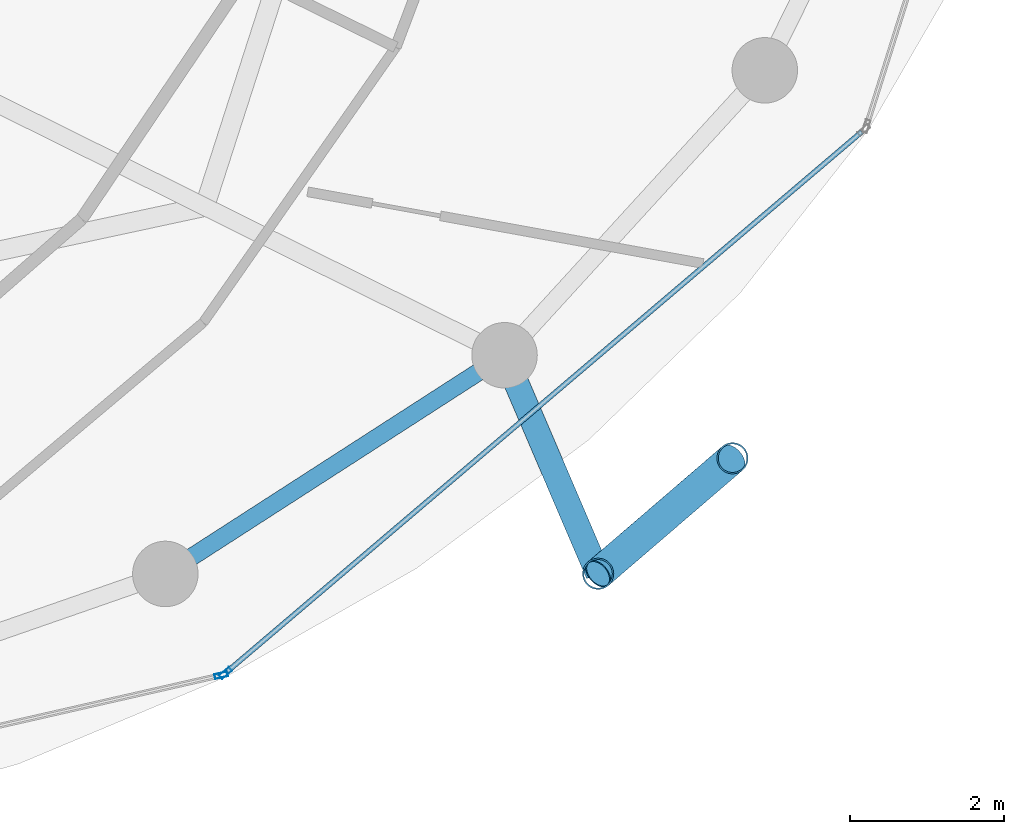
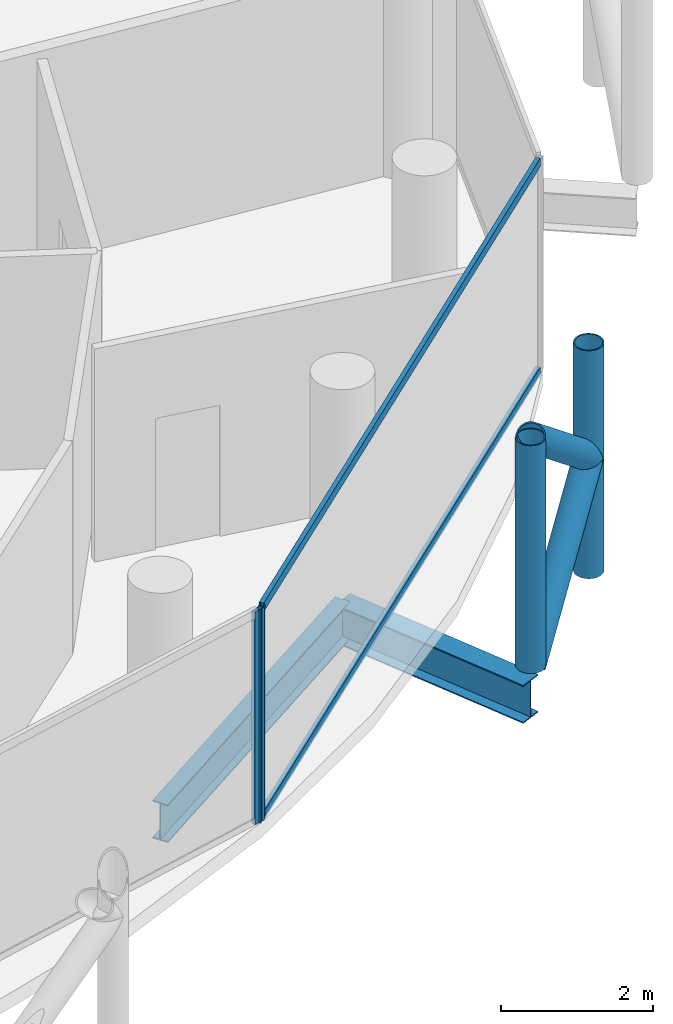
# One storey, part 11 of 27: 8 members, 2 beams, 2 elements without a shape of their own.
"""IFC4 building model written with IfcOpenShell, lengths in metres."""

from ifc_helpers import new_model, si_unit, direction, frame, origin, origin_2d, place, context, subcontext, project, spatial, hollow_rectangle, hollow_circle, i_section, extrude, material, layer, layer_set, material_profile, profile_set, type_object, element, aggregate, save


model = new_model("IFC4")

# Units and contexts
model_context = context("Model", 3, precision=1e-05, world=origin(), true_north=direction((0.0, 1.0)))
body_context = subcontext(model_context, "Body", "Model", "MODEL_VIEW")
ifc_project = project(units=[si_unit("LENGTHUNIT", "METRE"), si_unit("AREAUNIT", "SQUARE_METRE"), si_unit("VOLUMEUNIT", "CUBIC_METRE"), si_unit("PLANEANGLEUNIT", "RADIAN"), si_unit("MASSUNIT", "GRAM", prefix="KILO")], contexts=[model_context])

# Site, building, storey
site_placement = place(None, origin())
site = spatial("IfcSite", under=ifc_project, at=site_placement, CompositionType="ELEMENT")
building_placement = place(site_placement, origin())
building = spatial("IfcBuilding", under=site, at=building_placement, Name="Nuhasar Tower", CompositionType="ELEMENT")
storey_placement = place(building_placement, frame((0.0, 0.0, 241.0)))
storey = spatial("IfcBuildingStorey", under=building, at=storey_placement, Name="L59", CompositionType="ELEMENT", Elevation=241.0)

# Beams
ifc_material_1 = material(Name="Steel S355", Category="steel")
ifc_material_profile_1 = material_profile(ifc_material_1, i_section(OverallWidth=0.22802734375, OverallDepth=0.60791015625, WebThickness=0.01123046875, FlangeThickness=0.017333984375, at=origin_2d()), Name="W24X76")
ifc_profile_set_1 = profile_set([ifc_material_profile_1], Name="Steel S355")
beam_type_1 = type_object("IfcBeamType", Name="BM-RING-W24X76", PredefinedType="SPANDREL", material=ifc_profile_set_1)
beam_1_placement = place(storey_placement, frame((49.625, 11.341064453125, -0.5439453125), z_axis=(0.840502144969, 0.541808217272, 0.0), x_axis=(-0.541808217272, 0.840502144969, 0.0)))
element("IfcBeam", 1, at=beam_1_placement, inside=storey, type_object=beam_type_1, Name="L59 Perimeter Ring Spandrel 21", PredefinedType="SPANDREL", context=body_context, shape_type="SweptSolid", body=[
    extrude(i_section(OverallWidth=0.22802734375, OverallDepth=0.60791015625, WebThickness=0.01123046875, FlangeThickness=0.017333984375, at=origin_2d()), origin(), (0.0, 0.0, 1.0), 5.236083984375),
])
ifc_material_profile_2 = material_profile(ifc_material_1, i_section(OverallWidth=0.323974609375, OverallDepth=0.611083984375, WebThickness=0.0126953125, FlangeThickness=0.01904296875, at=origin_2d()), Name="W24X104")
ifc_profile_set_2 = profile_set([ifc_material_profile_2], Name="Steel S355")
beam_type_2 = type_object("IfcBeamType", Name="BM-TIE-W24X104", PredefinedType="BEAM", material=ifc_profile_set_2)
beam_2_placement = place(storey_placement, frame((54.02587890625, 14.177978515625, -0.5458984375), z_axis=(0.393680429682, -0.919247365667, 0.0), x_axis=(0.919247365667, 0.393680429682, 0.0)))
element("IfcBeam", 2, at=beam_2_placement, inside=storey, type_object=beam_type_2, Name="L59 Exoskeleton Node Tie Beam 11", PredefinedType="BEAM", context=body_context, shape_type="SweptSolid", body=[
    extrude(i_section(OverallWidth=0.323974609375, OverallDepth=0.611083984375, WebThickness=0.0126953125, FlangeThickness=0.01904296875, at=origin_2d()), origin(), (0.0, 0.0, 1.0), 3.083984375),
])

# Curtain wall, member
ifc_material_2 = material(Name="Aluminium 6063-T6", Category="aluminium")
ifc_layer = layer(ifc_material_2, 0.18994140625)
ifc_layer_set = layer_set([ifc_layer], Name="Aluminium 6063-T6")
curtain_wall_type = type_object("IfcCurtainWallType", Name="CW-Z3-RES", PredefinedType="NOTDEFINED", material=ifc_layer_set)
curtain_wall_1_placement = place(storey_placement, origin())
curtain_wall_1 = element("IfcCurtainWall", 3, at=curtain_wall_1_placement, inside=storey, type_object=curtain_wall_type, Name="L59 Unitised Curtain Wall 10", PredefinedType="NOTDEFINED")
ifc_material_profile_3 = material_profile(ifc_material_2, hollow_rectangle(XDim=0.06494140625, YDim=0.169921875, WallThickness=0.0048828125, at=origin_2d()), Name="CWM-4")
ifc_profile_set_3 = profile_set([ifc_material_profile_3], Name="Aluminium 6063-T6")
member_type_1 = type_object("IfcMemberType", Name="CW-MUL-S4", PredefinedType="MULLION", material=ifc_profile_set_3)
member_1_placement = place(storey_placement, frame((50.348388671875, 10.02685546875, 0.0), z_axis=(0.0, 0.0, 1.0), x_axis=(-0.222243176313, 0.974991266926, 0.0)))
member_1 = element("IfcMember", 4, at=member_1_placement, type_object=member_type_1, Name="CW-Z3 mullion 2", PredefinedType="MULLION", context=body_context, shape_type="SweptSolid", body=[
    extrude(hollow_rectangle(XDim=0.06494140625, YDim=0.169921875, WallThickness=0.0048828125, at=origin_2d()), origin(), (0.0, 0.0, 1.0), 3.409912109375),
])
aggregate(curtain_wall_1, [member_1])

# Curtain wall, members
curtain_wall_2_placement = place(storey_placement, origin())
curtain_wall_2 = element("IfcCurtainWall", 5, at=curtain_wall_2_placement, inside=storey, type_object=curtain_wall_type, Name="L59 Unitised Curtain Wall 11", PredefinedType="NOTDEFINED")
member_2_placement = place(storey_placement, frame((50.40478515625, 10.05517578125, 0.0), z_axis=(0.0, 0.0, 1.0), x_axis=(-0.64789521578, 0.761729472562, 0.0)))
member_2 = element("IfcMember", 6, at=member_2_placement, type_object=member_type_1, Name="CW-Z3 mullion 1", PredefinedType="MULLION", context=body_context, shape_type="SweptSolid", body=[
    extrude(hollow_rectangle(XDim=0.06494140625, YDim=0.169921875, WallThickness=0.0048828125, at=origin_2d()), origin(), (0.0, 0.0, 1.0), 3.409912109375),
])
ifc_material_profile_4 = material_profile(ifc_material_2, hollow_rectangle(XDim=0.06494140625, YDim=0.139892578125, WallThickness=0.00439453125, at=origin_2d()), Name="CWT-4")
ifc_profile_set_4 = profile_set([ifc_material_profile_4], Name="Aluminium 6063-T6")
member_type_2 = type_object("IfcMemberType", Name="CW-TRN-S4", PredefinedType="USERDEFINED", material=ifc_profile_set_4)
member_3_placement = place(storey_placement, frame((50.429443359375, 10.076171875, 0.032470703125), z_axis=(0.761730809511, 0.647893643928, 0.0), x_axis=(-0.647893643928, 0.761730809511, 0.0)))
member_3 = element("IfcMember", 7, at=member_3_placement, type_object=member_type_2, Name="CW-Z3 transom 1.1", ObjectType="TRANSOM", PredefinedType="USERDEFINED", context=body_context, shape_type="SweptSolid", body=[
    extrude(hollow_rectangle(XDim=0.06494140625, YDim=0.139892578125, WallThickness=0.00439453125, at=origin_2d()), origin(), (0.0, 0.0, 1.0), 10.806884765625),
])
member_4_placement = place(storey_placement, frame((50.429443359375, 10.076171875, 3.37744140625), z_axis=(0.761730809511, 0.647893643928, 0.0), x_axis=(-0.647893643928, 0.761730809511, 0.0)))
member_4 = element("IfcMember", 8, at=member_4_placement, type_object=member_type_2, Name="CW-Z3 transom 1.2", ObjectType="TRANSOM", PredefinedType="USERDEFINED", context=body_context, shape_type="SweptSolid", body=[
    extrude(hollow_rectangle(XDim=0.06494140625, YDim=0.139892578125, WallThickness=0.00439453125, at=origin_2d()), origin(), (0.0, 0.0, 1.0), 10.806884765625),
])
aggregate(curtain_wall_2, [member_2, member_3, member_4])

# Members
ifc_material_3 = material(Name="Steel S460", Category="steel")
ifc_material_profile_5 = material_profile(ifc_material_3, hollow_circle(Radius=0.203125, WallThickness=0.01904296875, at=origin_2d()), Name="HSS406.4X19.1")
ifc_profile_set_5 = profile_set([ifc_material_profile_5], Name="Steel S460")
member_type_3 = type_object("IfcMemberType", Name="EXO-BRONZE-406", PredefinedType="BRACE", material=ifc_profile_set_5)
for number, where, z_axis, x_axis, name in (
    (9, (55.239990234375, 11.343017578125, 0.0), (0.0, 0.0, 1.0), (1.0, 0.0, 0.0), "L59 Exoskeleton Chord Column EC-11A"),
    (10, (56.98388671875, 12.842041015625, 0.0), (0.0, 0.0, 1.0), (1.0, 0.0, 0.0), "L59 Exoskeleton Chord Column EC-11B"),
):
    element("IfcMember", number, at=place(storey_placement, frame(where, z_axis=z_axis, x_axis=x_axis)), inside=storey, type_object=member_type_3, Name=name, PredefinedType="BRACE", context=body_context, shape_type="SweptSolid", body=[
        extrude(hollow_circle(Radius=0.203125, WallThickness=0.01904296875, at=origin_2d()), origin(), (0.0, 0.0, 1.0), 3.64990234375),
    ])
for number, where, z_axis, x_axis, name in (
    (11, (55.239990234375, 11.343017578125, 0.0), (0.594018535389, 0.510608120858, 0.621627964725), (-0.65185738425, 0.758341579104, 0.0), "L59 Bronze Diagrid Brace W1-11"),
    (12, (56.98388671875, 12.842041015625, 1.824951171875), (-0.594018535389, -0.510608120858, 0.621627964725), (0.65185738425, -0.758341579104, 0.0), "L59 Bronze Diagrid Brace W2-11"),
):
    element("IfcMember", number, at=place(storey_placement, frame(where, z_axis=z_axis, x_axis=x_axis)), inside=storey, type_object=member_type_3, Name=name, PredefinedType="BRACE", context=body_context, shape_type="SweptSolid", body=[
        extrude(hollow_circle(Radius=0.203125, WallThickness=0.01904296875, at=origin_2d()), origin(), (0.0, 0.0, 1.0), 2.935791015625),
    ])

save(model, "model.ifc")
